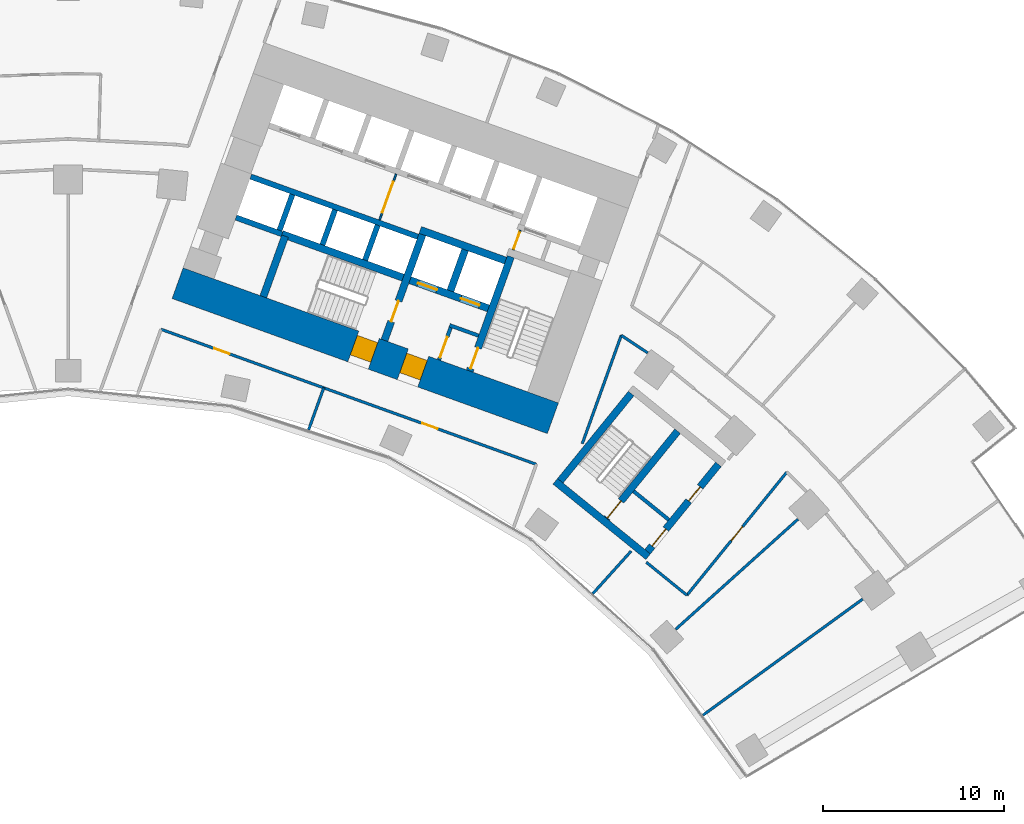
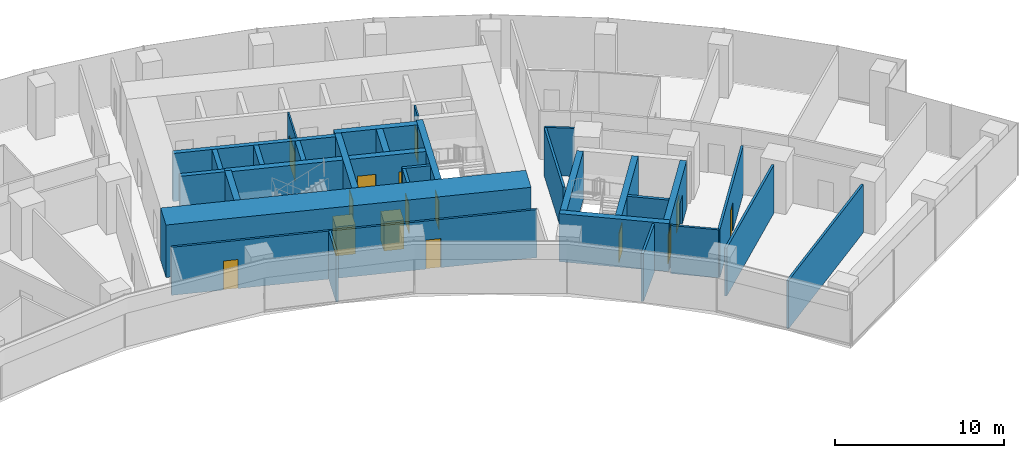
# One storey, part 17 of 21: 31 walls, 15 doors, 15 openings.
"""IFC4 building model written with IfcOpenShell, lengths in metres."""

from ifc_helpers import new_model, si_unit, direction, frame, frame_2d, origin, place, context, subcontext, project, spatial, rectangle, extrude, material, layer, layer_set, type_object, element, fill, save


model = new_model("IFC4")

# Units and contexts
model_context = context("Model", 3, precision=1e-05, world=origin(), true_north=direction((0.0, 1.0)))
body_context = subcontext(model_context, "Body", "Model", "MODEL_VIEW")
ifc_project = project(units=[si_unit("LENGTHUNIT", "METRE"), si_unit("AREAUNIT", "SQUARE_METRE"), si_unit("VOLUMEUNIT", "CUBIC_METRE"), si_unit("PLANEANGLEUNIT", "RADIAN"), si_unit("MASSUNIT", "GRAM", prefix="KILO")], contexts=[model_context])

# Site, building, storey
site_placement = place(None, origin())
site = spatial("IfcSite", under=ifc_project, at=site_placement, CompositionType="ELEMENT")
building_placement = place(site_placement, origin())
building = spatial("IfcBuilding", under=site, at=building_placement, Name="Stone Belt Terrace Tower", CompositionType="ELEMENT")
storey_placement = place(building_placement, frame((0.0, 0.0, 33.800048828125)))
storey = spatial("IfcBuildingStorey", under=building, at=storey_placement, Name="L07", CompositionType="ELEMENT", Elevation=33.800048828125)

# Wall, opening, door
ifc_material_1 = material(Name="Plasterboard partition")
ifc_layer_1 = layer(ifc_material_1, 0.10009765625)
ifc_layer_set_1 = layer_set([ifc_layer_1], Name="Core partition 100")
wall_type_1 = type_object("IfcWallType", Name="Core partition 100", PredefinedType="PARTITIONING", material=ifc_layer_set_1)
wall_1_placement = place(storey_placement, frame((24.555908203125, 51.10400390625, 0.0), z_axis=(0.0, 0.0, 1.0), x_axis=(0.338621735342, 0.94092258999, 0.0)))
wall_1 = element("IfcWall", 1, at=wall_1_placement, inside=storey, type_object=wall_type_1, Name="Core B wall", PredefinedType="PARTITIONING", context=body_context, shape_type="SweptSolid", body=[
    extrude(rectangle(XDim=1.14990234375, YDim=0.10009765625, at=frame_2d((0.574951171875, 0.0))), origin(), (0.0, 0.0, 1.0), 3.47998046875),
])
opening_1_placement = place(wall_1_placement, frame((0.050048828125, 0.0, 0.0)))
opening_1 = element("IfcOpeningElement", 2, at=opening_1_placement, cuts=wall_1, Name="Opening L07-C12", PredefinedType="OPENING", context=body_context, shape_type="SweptSolid", body=[
    extrude(rectangle(XDim=1.0, YDim=2.10009765625, at=frame_2d((0.5, 1.050048828125))), frame((0.0, 0.06005859375, 0.0), z_axis=(0.0, -1.0, 0.0), x_axis=(1.0, 0.0, 0.0)), (0.0, 0.0, 1.0), 0.1201171875),
])
ifc_material_2 = material(Name="Timber door leaf", Category="wood")
door_type_1 = type_object("IfcDoorType", Name="Core room door 1000", OperationType="SINGLE_SWING_LEFT", PredefinedType="DOOR", material=ifc_material_2)
door_1_placement = place(opening_1_placement, origin())
door_1 = element("IfcDoor", 3, at=door_1_placement, inside=storey, type_object=door_type_1, Name="Service lift lobby door core B", OperationType="SINGLE_SWING_LEFT", OverallHeight=2.10009765625, OverallWidth=1.0, PredefinedType="DOOR", context=body_context, shape_type="SweptSolid", body=[
    extrude(rectangle(XDim=1.0, YDim=2.10009765625, at=frame_2d((0.5, 1.050048828125))), frame((0.0, 0.02490234375, 0.0), z_axis=(0.0, -1.0, 0.0), x_axis=(1.0, 0.0, 0.0)), (0.0, 0.0, 1.0), 0.050048828125),
])
fill(opening_1, door_1)

wall_2_placement = place(storey_placement, frame((17.17724609375, 52.749755859375, 0.0), z_axis=(0.0, 0.0, 1.0), x_axis=(0.338546555931, 0.940949642365, 0.0)))
wall_2 = element("IfcWall", 4, at=wall_2_placement, inside=storey, type_object=wall_type_1, Name="Core B wall", PredefinedType="PARTITIONING", context=body_context, shape_type="SweptSolid", body=[
    extrude(rectangle(XDim=2.699951171875, YDim=0.10009765625, at=frame_2d((1.35009765625, 0.0))), origin(), (0.0, 0.0, 1.0), 3.47998046875),
])
opening_2_placement = place(wall_2_placement, frame((0.449951171875, 0.0, 0.0)))
opening_2 = element("IfcOpeningElement", 5, at=opening_2_placement, cuts=wall_2, Name="Opening L07-C13", PredefinedType="OPENING", context=body_context, shape_type="SweptSolid", body=[
    extrude(rectangle(XDim=1.800048828125, YDim=2.10009765625, at=frame_2d((0.89990234375, 1.050048828125))), frame((0.0, 0.06005859375, 0.0), z_axis=(0.0, -1.0, 0.0), x_axis=(1.0, 0.0, 0.0)), (0.0, 0.0, 1.0), 0.1201171875),
])
ifc_material_3 = material(Name="Glazed aluminium door leaf", Category="aluminium")
door_type_2 = type_object("IfcDoorType", Name="Lift lobby entrance door 1800", OperationType="DOUBLE_DOOR_SINGLE_SWING", PredefinedType="DOOR", material=ifc_material_3)
door_2_placement = place(opening_2_placement, origin())
door_2 = element("IfcDoor", 6, at=door_2_placement, inside=storey, type_object=door_type_2, Name="Lift lobby double door core B", OperationType="DOUBLE_DOOR_SINGLE_SWING", OverallHeight=2.10009765625, OverallWidth=1.800048828125, PredefinedType="DOOR", context=body_context, shape_type="SweptSolid", body=[
    extrude(rectangle(XDim=1.800048828125, YDim=2.10009765625, at=frame_2d((0.89990234375, 1.050048828125))), frame((0.0, 0.02490234375, 0.0), z_axis=(0.0, -1.0, 0.0), x_axis=(1.0, 0.0, 0.0)), (0.0, 0.0, 1.0), 0.050048828125),
])
fill(opening_2, door_2)

# Wall, openings, doors
ifc_material_4 = material(Name="Concrete B80", Category="concrete")
ifc_layer_2 = layer(ifc_material_4, 1.800048828125)
ifc_layer_set_2 = layer_set([ifc_layer_2], Name="Core wall 1800 B80")
wall_type_2 = type_object("IfcWallType", Name="Core wall 1800 B80", PredefinedType="SHEAR", material=ifc_layer_set_2)
wall_3_placement = place(storey_placement, frame((6.039306640625, 49.265380859375, 0.0), z_axis=(0.0, 0.0, 1.0), x_axis=(0.940921642213, -0.338624368902, 0.0)))
wall_3 = element("IfcWall", 7, at=wall_3_placement, inside=storey, type_object=wall_type_2, Name="Core B wall concave L07", PredefinedType="SHEAR", context=body_context, shape_type="SweptSolid", body=[
    extrude(rectangle(XDim=22.0, YDim=1.800048828125, at=frame_2d((11.0, 0.0))), origin(), (0.0, 0.0, 1.0), 3.800048828125),
])
opening_3_placement = place(wall_3_placement, frame((13.199951171875, 0.0, 0.0)))
opening_3 = element("IfcOpeningElement", 8, at=opening_3_placement, cuts=wall_3, Name="Opening L07-C17", PredefinedType="OPENING", context=body_context, shape_type="SweptSolid", body=[
    extrude(rectangle(XDim=1.199951171875, YDim=2.10009765625, at=frame_2d((0.60009765625, 1.050048828125))), frame((0.0, 0.909912109375, 0.0), z_axis=(0.0, -1.0, 0.0), x_axis=(1.0, 0.0, 0.0)), (0.0, 0.0, 1.0), 1.820068359375),
])
opening_4_placement = place(wall_3_placement, frame((10.300048828125, 0.0, 0.0)))
opening_4 = element("IfcOpeningElement", 9, at=opening_4_placement, cuts=wall_3, Name="Opening L07-C19", PredefinedType="OPENING", context=body_context, shape_type="SweptSolid", body=[
    extrude(rectangle(XDim=1.199951171875, YDim=2.10009765625, at=frame_2d((0.60009765625, 1.050048828125))), frame((0.0, 0.909912109375, 0.0), z_axis=(0.0, -1.0, 0.0), x_axis=(1.0, 0.0, 0.0)), (0.0, 0.0, 1.0), 1.820068359375),
])
ifc_material_5 = material(Name="Steel door leaf", Category="steel")
door_type_3 = type_object("IfcDoorType", Name="Fire-fighting lobby door 1200", OperationType="SINGLE_SWING_LEFT", PredefinedType="DOOR", material=ifc_material_5)
door_3_placement = place(opening_3_placement, origin())
door_3 = element("IfcDoor", 10, at=door_3_placement, inside=storey, type_object=door_type_3, Name="Fire-fighting lobby door core B", OperationType="SINGLE_SWING_LEFT", OverallHeight=2.10009765625, OverallWidth=1.199951171875, PredefinedType="DOOR", context=body_context, shape_type="SweptSolid", body=[
    extrude(rectangle(XDim=1.199951171875, YDim=2.10009765625, at=frame_2d((0.60009765625, 1.050048828125))), frame((0.0, 0.655029296875, 0.0), z_axis=(0.0, -1.0, 0.0), x_axis=(1.0, 0.0, 0.0)), (0.0, 0.0, 1.0), 1.14990234375),
])
fill(opening_3, door_3)
door_type_4 = type_object("IfcDoorType", Name="Stair door 1200", OperationType="SINGLE_SWING_LEFT", PredefinedType="DOOR", material=ifc_material_5)
door_4_placement = place(opening_4_placement, origin())
door_4 = element("IfcDoor", 11, at=door_4_placement, inside=storey, type_object=door_type_4, Name="Stair 2 exit door core B", OperationType="SINGLE_SWING_RIGHT", OverallHeight=2.10009765625, OverallWidth=1.199951171875, PredefinedType="DOOR", context=body_context, shape_type="SweptSolid", body=[
    extrude(rectangle(XDim=1.199951171875, YDim=2.10009765625, at=frame_2d((0.60009765625, 1.050048828125))), frame((0.0, 0.655029296875, 0.0), z_axis=(0.0, -1.0, 0.0), x_axis=(1.0, 0.0, 0.0)), (0.0, 0.0, 1.0), 1.14990234375),
])
fill(opening_4, door_4)

# Walls
ifc_layer_3 = layer(ifc_material_4, 0.39990234375)
ifc_layer_set_3 = layer_set([ifc_layer_3], Name="Fire-fighting lift shaft wall 400")
wall_type_3 = type_object("IfcWallType", Name="Fire-fighting lift shaft wall 400", PredefinedType="SHEAR", material=ifc_layer_set_3)
wall_4_placement = place(storey_placement, frame((24.130615234375, 50.512939453125, 0.0), z_axis=(0.0, 0.0, 1.0), x_axis=(-0.94091168377, 0.338652038744, 0.0)))
element("IfcWall", 12, at=wall_4_placement, inside=storey, type_object=wall_type_3, Name="Core B wall", PredefinedType="SHEAR", context=body_context, shape_type="SweptSolid", body=[
    extrude(rectangle(XDim=5.000244140625, YDim=0.39990234375, at=frame_2d((2.5, 0.0))), origin(), (0.0, 0.0, 1.0), 3.47998046875),
])
wall_5_placement = place(storey_placement, frame((21.0859375, 48.845458984375, 0.0), z_axis=(0.0, 0.0, 1.0), x_axis=(0.338629416206, 0.940919825745, 0.0)))
element("IfcWall", 13, at=wall_5_placement, inside=storey, type_object=wall_type_3, Name="Core B wall", PredefinedType="SHEAR", context=body_context, shape_type="SweptSolid", body=[
    extrude(rectangle(XDim=2.400146484375, YDim=0.39990234375, at=frame_2d((1.2001953125, 0.0))), origin(), (0.0, 0.0, 1.0), 3.47998046875),
])
ifc_layer_4 = layer(ifc_material_4, 0.300048828125)
ifc_layer_set_4 = layer_set([ifc_layer_4], Name="Lift shaft wall 300")
wall_type_4 = type_object("IfcWallType", Name="Lift shaft wall 300", PredefinedType="SHEAR", material=ifc_layer_set_4)
wall_6_placement = place(storey_placement, frame((19.29052734375, 51.829833984375, 0.0), z_axis=(0.0, 0.0, 1.0), x_axis=(-0.940925833398, 0.338612722803, 0.0)))
element("IfcWall", 14, at=wall_6_placement, inside=storey, type_object=wall_type_4, Name="Core B wall", PredefinedType="SHEAR", context=body_context, shape_type="SweptSolid", body=[
    extrude(rectangle(XDim=9.7998046875, YDim=0.300048828125, at=frame_2d((4.89990234375, 0.0))), origin(), (0.0, 0.0, 1.0), 3.47998046875),
])
for number, where, z_axis, x_axis, name in (
    (15, (16.38134765625, 50.53857421875, 0.0), (0.0, 0.0, 1.0), (0.338681515556, 0.940901073982, 0.0), "Core B wall"),
    (16, (14.029052734375, 51.38525390625, 0.0), (0.0, 0.0, 1.0), (0.338681515556, 0.940901073982, 0.0), "Core B wall"),
):
    element("IfcWall", number, at=place(storey_placement, frame(where, z_axis=z_axis, x_axis=x_axis)), inside=storey, type_object=wall_type_4, Name=name, PredefinedType="SHEAR", context=body_context, shape_type="SweptSolid", body=[
        extrude(rectangle(XDim=2.050048828125, YDim=0.300048828125, at=frame_2d((1.02490234375, 0.0))), origin(), (0.0, 0.0, 1.0), 3.47998046875),
    ])
wall_7_placement = place(storey_placement, frame((11.797119140625, 51.975830078125, 0.0), z_axis=(0.0, 0.0, 1.0), x_axis=(-0.940910465161, 0.33865542451, 0.0)))
element("IfcWall", 17, at=wall_7_placement, inside=storey, type_object=wall_type_4, Name="Core B wall", PredefinedType="SHEAR", context=body_context, shape_type="SweptSolid", body=[
    extrude(rectangle(XDim=2.69970703125, YDim=0.300048828125, at=frame_2d((1.349853515625, 0.0))), origin(), (0.0, 0.0, 1.0), 3.47998046875),
])
wall_8_placement = place(storey_placement, frame((11.659912109375, 52.184814453125, 0.0), z_axis=(0.0, 0.0, 1.0), x_axis=(0.338670064856, 0.940905195634, 0.0)))
element("IfcWall", 18, at=wall_8_placement, inside=storey, type_object=wall_type_4, Name="Core B wall", PredefinedType="SHEAR", context=body_context, shape_type="SweptSolid", body=[
    extrude(rectangle(XDim=2.099853515625, YDim=0.300048828125, at=frame_2d((1.0498046875, 0.0))), origin(), (0.0, 0.0, 1.0), 3.47998046875),
])
ifc_material_6 = material(Name="Gypsum board partition")
ifc_layer_5 = layer(ifc_material_6, 0.14990234375)
ifc_layer_set_5 = layer_set([ifc_layer_5], Name="PARTITION 150 EI 60")
wall_type_5 = type_object("IfcWallType", Name="PARTITION 150 EI 60", PredefinedType="PARTITIONING", material=ifc_layer_set_5)
wall_9_placement = place(storey_placement, frame((30.512939453125, 46.39599609375, 0.0), z_axis=(0.0, 0.0, 1.0), x_axis=(-0.338588876135, -0.940934414801, 0.0)))
element("IfcWall", 19, at=wall_9_placement, inside=storey, type_object=wall_type_5, Name="L07/wall/i023", PredefinedType="PARTITIONING", context=body_context, shape_type="SweptSolid", body=[
    extrude(rectangle(XDim=6.35546875, YDim=0.14990234375, at=frame_2d((3.177734375, 0.0))), origin(), (0.0, 0.0, 1.0), 3.47998046875),
])
wall_10_placement = place(storey_placement, frame((31.054931640625, 34.489990234375, 0.0), z_axis=(0.0, 0.0, 1.0), x_axis=(-0.669118910745, -0.743155356089, 0.0)))
element("IfcWall", 20, at=wall_10_placement, inside=storey, type_object=wall_type_5, Name="L07/wall/i024", PredefinedType="PARTITIONING", context=body_context, shape_type="SweptSolid", body=[
    extrude(rectangle(XDim=3.149169921875, YDim=0.14990234375, at=frame_2d((1.57470703125, 0.0))), origin(), (0.0, 0.0, 1.0), 3.47998046875),
])

# Wall, opening, door
wall_11_placement = place(storey_placement, frame((14.10498046875, 43.492919921875, 0.0), z_axis=(0.0, 0.0, 1.0), x_axis=(-0.940907954382, 0.338662400306, 0.0)))
wall_11 = element("IfcWall", 21, at=wall_11_placement, inside=storey, type_object=wall_type_5, Name="L07/wall/i027", PredefinedType="PARTITIONING", context=body_context, shape_type="SweptSolid", body=[
    extrude(rectangle(XDim=9.5439453125, YDim=0.14990234375, at=frame_2d((4.77197265625, 0.0))), origin(), (0.0, 0.0, 1.0), 3.47998046875),
])
opening_5_placement = place(wall_11_placement, frame((5.528564453125, 0.0, 0.0)))
opening_5 = element("IfcOpeningElement", 22, at=opening_5_placement, cuts=wall_11, Name="Opening D-A1b-05", PredefinedType="OPENING", context=body_context, shape_type="SweptSolid", body=[
    extrude(rectangle(XDim=0.89990234375, YDim=2.10009765625, at=frame_2d((0.449951171875, 1.050048828125))), frame((0.0, 0.0849609375, 0.0), z_axis=(0.0, -1.0, 0.0), x_axis=(1.0, 0.0, 0.0)), (0.0, 0.0, 1.0), 0.169921875),
])
door_type_5 = type_object("IfcDoorType", Name="OFFICE DOOR 900 X 2100", OperationType="NOTDEFINED", PredefinedType="DOOR", material=ifc_material_2)
door_5_placement = place(opening_5_placement, origin())
door_5 = element("IfcDoor", 23, at=door_5_placement, inside=storey, type_object=door_type_5, Name="L07/door/i05", OperationType="SINGLE_SWING_RIGHT", OverallHeight=2.10009765625, OverallWidth=0.89990234375, PredefinedType="DOOR", context=body_context, shape_type="SweptSolid", body=[
    extrude(rectangle(XDim=0.89990234375, YDim=2.10009765625, at=frame_2d((0.449951171875, 1.050048828125))), frame((0.0, 0.02490234375, 0.0), z_axis=(0.0, -1.0, 0.0), x_axis=(1.0, 0.0, 0.0)), (0.0, 0.0, 1.0), 0.050048828125),
])
fill(opening_5, door_5)

wall_12_placement = place(storey_placement, frame((25.824951171875, 39.27490234375, 0.0), z_axis=(0.0, 0.0, 1.0), x_axis=(-0.940921354073, 0.338625169545, 0.0)))
wall_12 = element("IfcWall", 24, at=wall_12_placement, inside=storey, type_object=wall_type_5, Name="L07/wall/i028", PredefinedType="PARTITIONING", context=body_context, shape_type="SweptSolid", body=[
    extrude(rectangle(XDim=12.468505859375, YDim=0.14990234375, at=frame_2d((6.234375, 0.0))), origin(), (0.0, 0.0, 1.0), 3.47998046875),
])
opening_6_placement = place(wall_12_placement, frame((5.7841796875, 0.0, 0.0)))
opening_6 = element("IfcOpeningElement", 25, at=opening_6_placement, cuts=wall_12, Name="Opening D-A1b-06", PredefinedType="OPENING", context=body_context, shape_type="SweptSolid", body=[
    extrude(rectangle(XDim=0.89990234375, YDim=2.10009765625, at=frame_2d((0.449951171875, 1.050048828125))), frame((0.0, 0.0849609375, 0.0), z_axis=(0.0, -1.0, 0.0), x_axis=(1.0, 0.0, 0.0)), (0.0, 0.0, 1.0), 0.169921875),
])
door_6_placement = place(opening_6_placement, origin())
door_6 = element("IfcDoor", 26, at=door_6_placement, inside=storey, type_object=door_type_5, Name="L07/door/i06", OperationType="SINGLE_SWING_RIGHT", OverallHeight=2.10009765625, OverallWidth=0.89990234375, PredefinedType="DOOR", context=body_context, shape_type="SweptSolid", body=[
    extrude(rectangle(XDim=0.89990234375, YDim=2.10009765625, at=frame_2d((0.449951171875, 1.050048828125))), frame((0.0, 0.02490234375, 0.0), z_axis=(0.0, -1.0, 0.0), x_axis=(1.0, 0.0, 0.0)), (0.0, 0.0, 1.0), 0.050048828125),
])
fill(opening_6, door_6)

# Walls
wall_13_placement = place(storey_placement, frame((14.09912109375, 43.4951171875, 0.0), z_axis=(0.0, 0.0, 1.0), x_axis=(-0.338564995421, -0.940943007772, 0.0)))
element("IfcWall", 27, at=wall_13_placement, inside=storey, type_object=wall_type_5, Name="L07/wall/i029", PredefinedType="PARTITIONING", context=body_context, shape_type="SweptSolid", body=[
    extrude(rectangle(XDim=2.462646484375, YDim=0.14990234375, at=frame_2d((1.2314453125, 0.0))), origin(), (0.0, 0.0, 1.0), 3.47998046875),
])
wall_14_placement = place(storey_placement, frame((35.01953125, 25.44287109375, 0.0), z_axis=(0.0, 0.0, 1.0), x_axis=(0.80903281135, 0.587763481478, 0.0)))
element("IfcWall", 28, at=wall_14_placement, inside=storey, type_object=wall_type_5, Name="L07/wall/i055", PredefinedType="PARTITIONING", context=body_context, shape_type="SweptSolid", body=[
    extrude(rectangle(XDim=10.883544921875, YDim=0.14990234375, at=frame_2d((5.44189453125, 0.0))), origin(), (0.0, 0.0, 1.0), 3.47998046875),
])
wall_15_placement = place(storey_placement, frame((31.9736328125, 45.420166015625, 0.0), z_axis=(0.0, 0.0, 1.0), x_axis=(-0.833460186345, 0.552579512629, 0.0)))
element("IfcWall", 29, at=wall_15_placement, inside=storey, type_object=wall_type_5, Name="L07/wall/i058", PredefinedType="PARTITIONING", context=body_context, shape_type="SweptSolid", body=[
    extrude(rectangle(XDim=1.7548828125, YDim=0.14990234375, at=frame_2d((0.87744140625, 0.0))), origin(), (0.0, 0.0, 1.0), 3.47998046875),
])

# Wall, opening, door
wall_16_placement = place(storey_placement, frame((39.64599609375, 38.84912109375, 0.0), z_axis=(0.0, 0.0, 1.0), x_axis=(-0.630141823003, -0.776480059566, 0.0)))
wall_16 = element("IfcWall", 30, at=wall_16_placement, inside=storey, type_object=wall_type_5, Name="L07/wall/i069", PredefinedType="PARTITIONING", context=body_context, shape_type="SweptSolid", body=[
    extrude(rectangle(XDim=8.748779296875, YDim=0.14990234375, at=frame_2d((4.37451171875, 0.0))), origin(), (0.0, 0.0, 1.0), 3.47998046875),
])
opening_7_placement = place(wall_16_placement, frame((3.874267578125, 0.0, 0.0)))
opening_7 = element("IfcOpeningElement", 31, at=opening_7_placement, cuts=wall_16, Name="Opening D-A1b-19", PredefinedType="OPENING", context=body_context, shape_type="SweptSolid", body=[
    extrude(rectangle(XDim=1.0, YDim=2.10009765625, at=frame_2d((0.5, 1.050048828125))), frame((0.0, 0.0849609375, 0.0), z_axis=(0.0, -1.0, 0.0), x_axis=(1.0, 0.0, 0.0)), (0.0, 0.0, 1.0), 0.169921875),
])
ifc_material_7 = material(Name="Timber fire door leaf", Category="wood")
door_type_6 = type_object("IfcDoorType", Name="TENANCY ENTRANCE DOOR 1000 X 2100", OperationType="NOTDEFINED", PredefinedType="DOOR", material=ifc_material_7)
door_7_placement = place(opening_7_placement, origin())
door_7 = element("IfcDoor", 32, at=door_7_placement, inside=storey, type_object=door_type_6, Name="L07/door/i19", OperationType="SINGLE_SWING_RIGHT", OverallHeight=2.10009765625, OverallWidth=1.0, PredefinedType="DOOR", context=body_context, shape_type="SweptSolid", body=[
    extrude(rectangle(XDim=1.0, YDim=2.10009765625, at=frame_2d((0.5, 1.050048828125))), frame((0.0, 0.02490234375, 0.0), z_axis=(0.0, -1.0, 0.0), x_axis=(1.0, 0.0, 0.0)), (0.0, 0.0, 1.0), 0.050048828125),
])
fill(opening_7, door_7)

# Walls
wall_17_placement = place(storey_placement, frame((34.133056640625, 32.055908203125, 0.0), z_axis=(0.0, 0.0, 1.0), x_axis=(-0.776369956068, 0.630277471686, 0.0)))
element("IfcWall", 33, at=wall_17_placement, inside=storey, type_object=wall_type_5, Name="L07/wall/i070", PredefinedType="PARTITIONING", context=body_context, shape_type="SweptSolid", body=[
    extrude(rectangle(XDim=2.8876953125, YDim=0.14990234375, at=frame_2d((1.44384765625, 0.0))), origin(), (0.0, 0.0, 1.0), 3.47998046875),
])
wall_18_placement = place(storey_placement, frame((40.256103515625, 36.2470703125, 0.0), z_axis=(0.0, 0.0, 1.0), x_axis=(-0.743122805234, -0.669155061508, 0.0)))
element("IfcWall", 34, at=wall_18_placement, inside=storey, type_object=wall_type_5, Name="L07/wall/i071", PredefinedType="PARTITIONING", context=body_context, shape_type="SweptSolid", body=[
    extrude(rectangle(XDim=9.070068359375, YDim=0.14990234375, at=frame_2d((4.53515625, 0.0))), origin(), (0.0, 0.0, 1.0), 3.47998046875),
])
ifc_material_8 = material(Name="Concrete masonry block", Category="masonry")
ifc_layer_6 = layer(ifc_material_8, 0.199951171875)
ifc_layer_set_6 = layer_set([ifc_layer_6], Name="Rated lobby wall 200")
wall_type_6 = type_object("IfcWallType", Name="Rated lobby wall 200", PredefinedType="PARTITIONING", material=ifc_layer_set_6)
wall_19_placement = place(storey_placement, frame((22.640625, 46.373046875, 0.0), z_axis=(0.0, 0.0, 1.0), x_axis=(-0.940966110313, 0.338500781747, 0.0)))
element("IfcWall", 35, at=wall_19_placement, inside=storey, type_object=wall_type_6, Name="Core B wall", PredefinedType="PARTITIONING", context=body_context, shape_type="SweptSolid", body=[
    extrude(rectangle(XDim=1.699951171875, YDim=0.199951171875, at=frame_2d((0.85009765625, 0.0))), origin(), (0.0, 0.0, 1.0), 3.47998046875),
])

# Wall, opening, door
wall_20_placement = place(storey_placement, frame((20.4580078125, 45.032958984375, 0.0), z_axis=(0.0, 0.0, 1.0), x_axis=(0.338573865316, 0.940939816208, 0.0)))
wall_20 = element("IfcWall", 36, at=wall_20_placement, inside=storey, type_object=wall_type_6, Name="Core B wall", PredefinedType="PARTITIONING", context=body_context, shape_type="SweptSolid", body=[
    extrude(rectangle(XDim=1.900146484375, YDim=0.199951171875, at=frame_2d((0.9501953125, 0.0))), origin(), (0.0, 0.0, 1.0), 3.47998046875),
])
opening_8_placement = place(wall_20_placement, frame((0.14990234375, 0.0, 0.0)))
opening_8 = element("IfcOpeningElement", 37, at=opening_8_placement, cuts=wall_20, Name="Opening L07-C16", PredefinedType="OPENING", context=body_context, shape_type="SweptSolid", body=[
    extrude(rectangle(XDim=1.199951171875, YDim=2.10009765625, at=frame_2d((0.60009765625, 1.050048828125))), frame((0.0, 0.10986328125, 0.0), z_axis=(0.0, -1.0, 0.0), x_axis=(1.0, 0.0, 0.0)), (0.0, 0.0, 1.0), 0.219970703125),
])
door_8_placement = place(opening_8_placement, origin())
door_8 = element("IfcDoor", 38, at=door_8_placement, inside=storey, type_object=door_type_4, Name="Stair airlock door core B", OperationType="SINGLE_SWING_LEFT", OverallHeight=2.10009765625, OverallWidth=1.199951171875, PredefinedType="DOOR", context=body_context, shape_type="SweptSolid", body=[
    extrude(rectangle(XDim=1.199951171875, YDim=2.10009765625, at=frame_2d((0.60009765625, 1.050048828125))), frame((0.0, 0.02490234375, 0.0), z_axis=(0.0, -1.0, 0.0), x_axis=(1.0, 0.0, 0.0)), (0.0, 0.0, 1.0), 0.050048828125),
])
fill(opening_8, door_8)

# Wall
wall_21_placement = place(storey_placement, frame((31.190673828125, 37.79296875, 0.0), z_axis=(0.0, 0.0, 1.0), x_axis=(0.776370830301, -0.630276394813, 0.0)))
element("IfcWall", 39, at=wall_21_placement, inside=storey, type_object=wall_type_6, Name="Exit stair ST3B wall", PredefinedType="PARTITIONING", context=body_context, shape_type="SweptSolid", body=[
    extrude(rectangle(XDim=2.5, YDim=0.199951171875, at=frame_2d((1.25, 0.0))), origin(), (0.0, 0.0, 1.0), 3.47998046875),
])

# Wall, opening, door
ifc_layer_7 = layer(ifc_material_4, 0.39990234375)
ifc_layer_set_7 = layer_set([ifc_layer_7], Name="Stair enclosure wall 400")
wall_type_7 = type_object("IfcWallType", Name="Stair enclosure wall 400", PredefinedType="SHEAR", material=ifc_layer_set_7)
wall_22_placement = place(storey_placement, frame((22.151611328125, 44.42333984375, 0.0), z_axis=(0.0, 0.0, 1.0), x_axis=(0.338625272931, 0.940921316866, 0.0)))
wall_22 = element("IfcWall", 40, at=wall_22_placement, inside=storey, type_object=wall_type_7, Name="Core B wall", PredefinedType="SHEAR", context=body_context, shape_type="SweptSolid", body=[
    extrude(rectangle(XDim=6.699951171875, YDim=0.39990234375, at=frame_2d((3.35009765625, 0.0))), origin(), (0.0, 0.0, 1.0), 3.47998046875),
])
opening_9_placement = place(wall_22_placement, frame((0.14990234375, 0.0, 0.0)))
opening_9 = element("IfcOpeningElement", 41, at=opening_9_placement, cuts=wall_22, Name="Opening L07-C15", PredefinedType="OPENING", context=body_context, shape_type="SweptSolid", body=[
    extrude(rectangle(XDim=1.199951171875, YDim=2.10009765625, at=frame_2d((0.60009765625, 1.050048828125))), frame((0.0, 0.2099609375, 0.0), z_axis=(0.0, -1.0, 0.0), x_axis=(1.0, 0.0, 0.0)), (0.0, 0.0, 1.0), 0.419921875),
])
door_9_placement = place(opening_9_placement, origin())
door_9 = element("IfcDoor", 42, at=door_9_placement, inside=storey, type_object=door_type_4, Name="Stair 1 door core B", OperationType="SINGLE_SWING_LEFT", OverallHeight=2.10009765625, OverallWidth=1.199951171875, PredefinedType="DOOR", context=body_context, shape_type="SweptSolid", body=[
    extrude(rectangle(XDim=1.199951171875, YDim=2.10009765625, at=frame_2d((0.60009765625, 1.050048828125))), frame((0.0, 0.02490234375, 0.0), z_axis=(0.0, -1.0, 0.0), x_axis=(1.0, 0.0, 0.0)), (0.0, 0.0, 1.0), 0.050048828125),
])
fill(opening_9, door_9)

# Wall, openings, doors
wall_23_placement = place(storey_placement, frame((23.182373046875, 47.87841796875, 0.0), z_axis=(0.0, 0.0, 1.0), x_axis=(-0.940921101762, 0.338625870628, 0.0)))
wall_23 = element("IfcWall", 43, at=wall_23_placement, inside=storey, type_object=wall_type_7, Name="Core B wall", PredefinedType="SHEAR", context=body_context, shape_type="SweptSolid", body=[
    extrude(rectangle(XDim=12.10009765625, YDim=0.39990234375, at=frame_2d((6.050048828125, 0.0))), origin(), (0.0, 0.0, 1.0), 3.47998046875),
])
opening_10_placement = place(wall_23_placement, frame((0.52001953125, 0.0, 0.0)))
opening_10 = element("IfcOpeningElement", 44, at=opening_10_placement, cuts=wall_23, Name="Opening L07-LD16", PredefinedType="OPENING", context=body_context, shape_type="SweptSolid", body=[
    extrude(rectangle(XDim=1.10009765625, YDim=2.199951171875, at=frame_2d((0.550048828125, 1.10009765625))), frame((0.0, 0.2099609375, 0.0), z_axis=(0.0, -1.0, 0.0), x_axis=(1.0, 0.0, 0.0)), (0.0, 0.0, 1.0), 0.419921875),
])
opening_11_placement = place(wall_23_placement, frame((3.02001953125, 0.0, 0.0)))
opening_11 = element("IfcOpeningElement", 45, at=opening_11_placement, cuts=wall_23, Name="Opening L07-LD17", PredefinedType="OPENING", context=body_context, shape_type="SweptSolid", body=[
    extrude(rectangle(XDim=1.10009765625, YDim=2.199951171875, at=frame_2d((0.550048828125, 1.10009765625))), frame((0.0, 0.2099609375, 0.0), z_axis=(0.0, -1.0, 0.0), x_axis=(1.0, 0.0, 0.0)), (0.0, 0.0, 1.0), 0.419921875),
])
ifc_material_9 = material(Name="Stainless steel door leaf", Category="steel")
door_type_7 = type_object("IfcDoorType", Name="Landing door 1100", OperationType="SLIDING_TO_LEFT", PredefinedType="DOOR", material=ifc_material_9)
door_10_placement = place(opening_10_placement, origin())
door_10 = element("IfcDoor", 46, at=door_10_placement, inside=storey, type_object=door_type_7, Name="Landing door FF1 core B", OperationType="SLIDING_TO_LEFT", OverallHeight=2.199951171875, OverallWidth=1.10009765625, PredefinedType="DOOR", context=body_context, shape_type="SweptSolid", body=[
    extrude(rectangle(XDim=1.10009765625, YDim=2.199951171875, at=frame_2d((0.550048828125, 1.10009765625))), frame((0.0, 0.02490234375, 0.0), z_axis=(0.0, -1.0, 0.0), x_axis=(1.0, 0.0, 0.0)), (0.0, 0.0, 1.0), 0.050048828125),
])
fill(opening_10, door_10)
door_11_placement = place(opening_11_placement, origin())
door_11 = element("IfcDoor", 47, at=door_11_placement, inside=storey, type_object=door_type_7, Name="Landing door FF2 core B", OperationType="SLIDING_TO_LEFT", OverallHeight=2.199951171875, OverallWidth=1.10009765625, PredefinedType="DOOR", context=body_context, shape_type="SweptSolid", body=[
    extrude(rectangle(XDim=1.10009765625, YDim=2.199951171875, at=frame_2d((0.550048828125, 1.10009765625))), frame((0.0, 0.02490234375, 0.0), z_axis=(0.0, -1.0, 0.0), x_axis=(1.0, 0.0, 0.0)), (0.0, 0.0, 1.0), 0.050048828125),
])
fill(opening_11, door_11)

# Wall, opening, door
wall_24_placement = place(storey_placement, frame((17.447021484375, 46.116455078125, 0.0), z_axis=(0.0, 0.0, 1.0), x_axis=(0.33860791464, 0.940927563707, 0.0)))
wall_24 = element("IfcWall", 48, at=wall_24_placement, inside=storey, type_object=wall_type_7, Name="Core B wall", PredefinedType="SHEAR", context=body_context, shape_type="SweptSolid", body=[
    extrude(rectangle(XDim=6.199951171875, YDim=0.39990234375, at=frame_2d((3.10009765625, 0.0))), origin(), (0.0, 0.0, 1.0), 3.47998046875),
])
opening_12_placement = place(wall_24_placement, frame((1.10009765625, 0.0, 0.0)))
opening_12 = element("IfcOpeningElement", 49, at=opening_12_placement, cuts=wall_24, Name="Opening L07-C18", PredefinedType="OPENING", context=body_context, shape_type="SweptSolid", body=[
    extrude(rectangle(XDim=1.199951171875, YDim=2.10009765625, at=frame_2d((0.60009765625, 1.050048828125))), frame((0.0, 0.2099609375, 0.0), z_axis=(0.0, -1.0, 0.0), x_axis=(1.0, 0.0, 0.0)), (0.0, 0.0, 1.0), 0.419921875),
])
door_12_placement = place(opening_12_placement, origin())
door_12 = element("IfcDoor", 50, at=door_12_placement, inside=storey, type_object=door_type_4, Name="Stair 2 door core B", OperationType="SINGLE_SWING_LEFT", OverallHeight=2.10009765625, OverallWidth=1.199951171875, PredefinedType="DOOR", context=body_context, shape_type="SweptSolid", body=[
    extrude(rectangle(XDim=1.199951171875, YDim=2.10009765625, at=frame_2d((0.60009765625, 1.050048828125))), frame((0.0, 0.02490234375, 0.0), z_axis=(0.0, -1.0, 0.0), x_axis=(1.0, 0.0, 0.0)), (0.0, 0.0, 1.0), 0.050048828125),
])
fill(opening_12, door_12)

# Walls
wall_25_placement = place(storey_placement, frame((10.766357421875, 48.520751953125, 0.0), z_axis=(0.0, 0.0, 1.0), x_axis=(0.338626928157, 0.94092072117, 0.0)))
element("IfcWall", 51, at=wall_25_placement, inside=storey, type_object=wall_type_7, Name="Core B wall", PredefinedType="SHEAR", context=body_context, shape_type="SweptSolid", body=[
    extrude(rectangle(XDim=3.550048828125, YDim=0.39990234375, at=frame_2d((1.77490234375, 0.0))), origin(), (0.0, 0.0, 1.0), 3.47998046875),
])
wall_26_placement = place(storey_placement, frame((26.868408203125, 38.3388671875, 0.0), z_axis=(0.0, 0.0, 1.0), x_axis=(0.776428452498, -0.630205409491, 0.0)))
element("IfcWall", 52, at=wall_26_placement, inside=storey, type_object=wall_type_7, Name="Exit stair ST3B wall", PredefinedType="SHEAR", context=body_context, shape_type="SweptSolid", body=[
    extrude(rectangle(XDim=6.60009765625, YDim=0.39990234375, at=frame_2d((3.300048828125, 0.0))), origin(), (0.0, 0.0, 1.0), 3.47998046875),
])
wall_27_placement = place(storey_placement, frame((27.149658203125, 38.3681640625, 0.0), z_axis=(0.0, 0.0, 1.0), x_axis=(0.630211551729, 0.776423466973, 0.0)))
element("IfcWall", 53, at=wall_27_placement, inside=storey, type_object=wall_type_7, Name="Exit stair ST3B wall", PredefinedType="SHEAR", context=body_context, shape_type="SweptSolid", body=[
    extrude(rectangle(XDim=6.199951171875, YDim=0.39990234375, at=frame_2d((3.10009765625, 0.0))), origin(), (0.0, 0.0, 1.0), 3.47998046875),
])

# Wall, openings, doors
wall_28_placement = place(storey_placement, frame((31.963623046875, 34.460693359375, 0.0), z_axis=(0.0, 0.0, 1.0), x_axis=(0.630192283849, 0.776439106033, 0.0)))
wall_28 = element("IfcWall", 54, at=wall_28_placement, inside=storey, type_object=wall_type_7, Name="Exit stair ST3B wall", PredefinedType="SHEAR", context=body_context, shape_type="SweptSolid", body=[
    extrude(rectangle(XDim=6.199951171875, YDim=0.39990234375, at=frame_2d((3.10009765625, 0.0))), origin(), (0.0, 0.0, 1.0), 3.47998046875),
])
opening_13_placement = place(wall_28_placement, frame((0.39990234375, 0.0, 0.0)))
opening_13 = element("IfcOpeningElement", 55, at=opening_13_placement, cuts=wall_28, Name="Opening L07-C25", PredefinedType="OPENING", context=body_context, shape_type="SweptSolid", body=[
    extrude(rectangle(XDim=1.199951171875, YDim=2.10009765625, at=frame_2d((0.60009765625, 1.050048828125))), frame((0.0, 0.2099609375, 0.0), z_axis=(0.0, -1.0, 0.0), x_axis=(1.0, 0.0, 0.0)), (0.0, 0.0, 1.0), 0.419921875),
])
opening_14_placement = place(wall_28_placement, frame((3.60009765625, 0.0, 0.0)))
opening_14 = element("IfcOpeningElement", 56, at=opening_14_placement, cuts=wall_28, Name="Opening L07-C26", PredefinedType="OPENING", context=body_context, shape_type="SweptSolid", body=[
    extrude(rectangle(XDim=1.0, YDim=2.10009765625, at=frame_2d((0.5, 1.050048828125))), frame((0.0, 0.2099609375, 0.0), z_axis=(0.0, -1.0, 0.0), x_axis=(1.0, 0.0, 0.0)), (0.0, 0.0, 1.0), 0.419921875),
])
door_13_placement = place(opening_14_placement, origin())
door_13 = element("IfcDoor", 57, at=door_13_placement, inside=storey, type_object=door_type_1, Name="Door to stair pressurisation plant room ST3B", OperationType="SINGLE_SWING_RIGHT", OverallHeight=2.10009765625, OverallWidth=1.0, PredefinedType="DOOR", context=body_context, shape_type="SweptSolid", body=[
    extrude(rectangle(XDim=1.0, YDim=2.10009765625, at=frame_2d((0.5, 1.050048828125))), frame((0.0, 0.02490234375, 0.0), z_axis=(0.0, -1.0, 0.0), x_axis=(1.0, 0.0, 0.0)), (0.0, 0.0, 1.0), 0.050048828125),
])
fill(opening_14, door_13)
door_type_8 = type_object("IfcDoorType", Name="Stair airlock door 1200", OperationType="SINGLE_SWING_LEFT", PredefinedType="DOOR", material=ifc_material_5)
door_14_placement = place(opening_13_placement, origin())
door_14 = element("IfcDoor", 58, at=door_14_placement, inside=storey, type_object=door_type_8, Name="Stair airlock door ST3B", OperationType="SINGLE_SWING_RIGHT", OverallHeight=2.10009765625, OverallWidth=1.199951171875, PredefinedType="DOOR", context=body_context, shape_type="SweptSolid", body=[
    extrude(rectangle(XDim=1.199951171875, YDim=2.10009765625, at=frame_2d((0.60009765625, 1.050048828125))), frame((0.0, 0.02490234375, 0.0), z_axis=(0.0, -1.0, 0.0), x_axis=(1.0, 0.0, 0.0)), (0.0, 0.0, 1.0), 0.050048828125),
])
fill(opening_13, door_14)

# Wall, opening, door
wall_29_placement = place(storey_placement, frame((29.7119140625, 36.288330078125, 0.0), z_axis=(0.0, 0.0, 1.0), x_axis=(0.630192283849, 0.776439106033, 0.0)))
wall_29 = element("IfcWall", 59, at=wall_29_placement, inside=storey, type_object=wall_type_7, Name="Exit stair ST3B wall", PredefinedType="SHEAR", context=body_context, shape_type="SweptSolid", body=[
    extrude(rectangle(XDim=6.199951171875, YDim=0.39990234375, at=frame_2d((3.10009765625, 0.0))), origin(), (0.0, 0.0, 1.0), 3.47998046875),
])
opening_15_placement = place(wall_29_placement, frame((0.050048828125, 0.0, 0.0)))
opening_15 = element("IfcOpeningElement", 60, at=opening_15_placement, cuts=wall_29, Name="Opening L07-C24", PredefinedType="OPENING", context=body_context, shape_type="SweptSolid", body=[
    extrude(rectangle(XDim=1.199951171875, YDim=2.10009765625, at=frame_2d((0.60009765625, 1.050048828125))), frame((0.0, 0.2099609375, 0.0), z_axis=(0.0, -1.0, 0.0), x_axis=(1.0, 0.0, 0.0)), (0.0, 0.0, 1.0), 0.419921875),
])
door_15_placement = place(opening_15_placement, origin())
door_15 = element("IfcDoor", 61, at=door_15_placement, inside=storey, type_object=door_type_4, Name="Stair door ST3B", OperationType="SINGLE_SWING_LEFT", OverallHeight=2.10009765625, OverallWidth=1.199951171875, PredefinedType="DOOR", context=body_context, shape_type="SweptSolid", body=[
    extrude(rectangle(XDim=1.199951171875, YDim=2.10009765625, at=frame_2d((0.60009765625, 1.050048828125))), frame((0.0, 0.02490234375, 0.0), z_axis=(0.0, -1.0, 0.0), x_axis=(1.0, 0.0, 0.0)), (0.0, 0.0, 1.0), 0.050048828125),
])
fill(opening_15, door_15)

save(model, "model.ifc")
